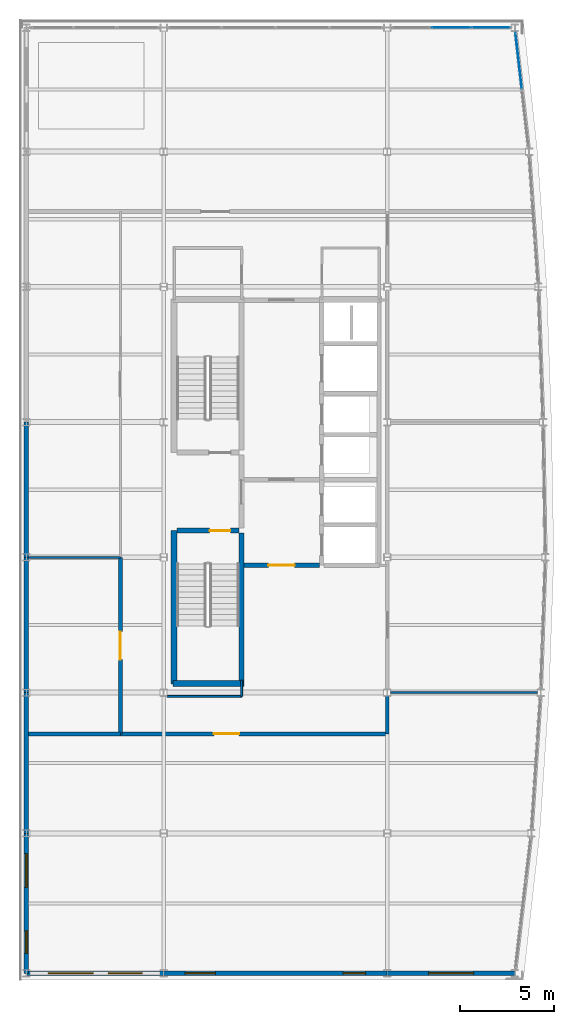
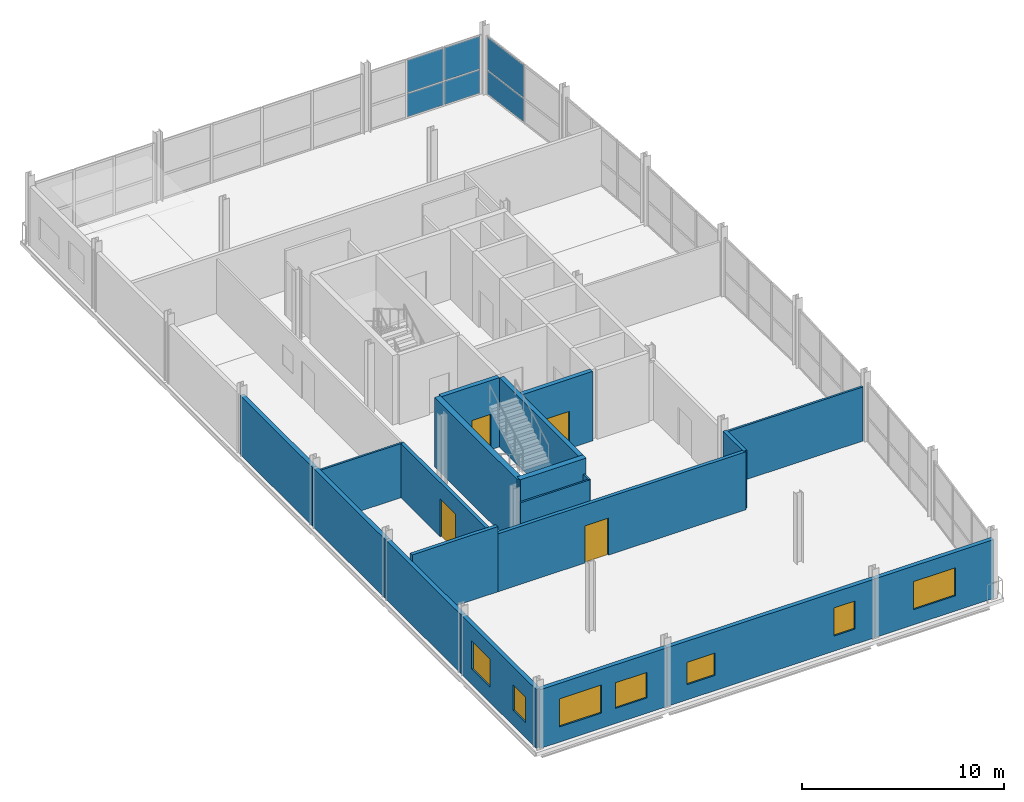
# One storey, part 15 of 20: 20 walls, 7 windows, 6 plates, 4 doors, 11 openings, 2 elements without a shape of their own.
"""IFC4 building model written with IfcOpenShell, lengths in metres."""

from ifc_helpers import new_model, si_unit, direction, frame, frame_2d, origin, origin_2d, place, context, subcontext, project, spatial, rectangle, extrude, material, layer, layer_set, type_object, element, fill, aggregate, save


model = new_model("IFC4")

# Units and contexts
model_context = context("Model", 3, precision=1e-05, world=origin(), true_north=direction((0.0, 1.0)))
body_context = subcontext(model_context, "Body", "Model", "MODEL_VIEW")
ifc_project = project(units=[si_unit("LENGTHUNIT", "METRE"), si_unit("AREAUNIT", "SQUARE_METRE"), si_unit("VOLUMEUNIT", "CUBIC_METRE"), si_unit("PLANEANGLEUNIT", "RADIAN"), si_unit("MASSUNIT", "GRAM", prefix="KILO")], contexts=[model_context])

# Site, building, storey
site_placement = place(None, origin())
site = spatial("IfcSite", under=ifc_project, at=site_placement, CompositionType="ELEMENT")
building_placement = place(site_placement, origin())
building = spatial("IfcBuilding", under=site, at=building_placement, Name="Quillay Park Conservatory", CompositionType="ELEMENT")
storey_placement = place(building_placement, frame((0.0, 0.0, 26.699951171875)))
storey = spatial("IfcBuildingStorey", under=building, at=storey_placement, Name="L06", CompositionType="ELEMENT", Elevation=26.699951171875)

# Curtain wall, plates
ifc_material_1 = material(Name="Thermally Broken Anodised Aluminium 6063-T6", Category="aluminium")
ifc_layer_1 = layer(ifc_material_1, 0.199951171875)
ifc_layer_set_1 = layer_set([ifc_layer_1], Name="UNITISED CURTAIN WALL HERBARIUM (Thermally Broken Anodised Aluminium 6063-T6)")
curtain_wall_type = type_object("IfcCurtainWallType", Name="UNITISED CURTAIN WALL HERBARIUM", PredefinedType="USERDEFINED", material=ifc_layer_set_1)
curtain_wall_1_placement = place(storey_placement, origin())
curtain_wall_1 = element("IfcCurtainWall", 1, at=curtain_wall_1_placement, inside=storey, type_object=curtain_wall_type, Name="L06 Unitised Curtain Wall 064", ObjectType="UNITISED CURTAIN WALL", PredefinedType="USERDEFINED")
ifc_material_2 = material(Name="Low-E Double Glazing (Laminated Tempered)", Category="glass")
ifc_layer_2 = layer(ifc_material_2, 0.028076171875)
ifc_layer_set_2 = layer_set([ifc_layer_2], Name="CURTAIN WALL GLAZED PANEL 28 (Low-E Double Glazing (Laminated Tempered))")
plate_type = type_object("IfcPlateType", Name="CURTAIN WALL GLAZED PANEL 28", PredefinedType="CURTAIN_PANEL", material=ifc_layer_set_2)
plate_1_placement = place(storey_placement, frame((26.750732421875, 111.63330078125, 0.070068359375), z_axis=(0.0, 0.0, 1.0), x_axis=(0.112903218278, -0.993605989969, 0.0)))
plate_1 = element("IfcPlate", 2, at=plate_1_placement, type_object=plate_type, Name="CW-T2 panel 1.1", PredefinedType="CURTAIN_PANEL", context=body_context, shape_type="SweptSolid", body=[
    extrude(rectangle(XDim=3.016357421875, YDim=0.028076171875, at=origin_2d()), origin(), (0.0, 0.0, 1.0), 1.39404296875),
])
plate_2_placement = place(storey_placement, frame((26.750732421875, 111.63330078125, 1.5341796875), z_axis=(0.0, 0.0, 1.0), x_axis=(0.112903218278, -0.993605989969, 0.0)))
plate_2 = element("IfcPlate", 3, at=plate_2_placement, type_object=plate_type, Name="CW-T2 panel 1.2", PredefinedType="CURTAIN_PANEL", context=body_context, shape_type="SweptSolid", body=[
    extrude(rectangle(XDim=3.016357421875, YDim=0.028076171875, at=origin_2d()), origin(), (0.0, 0.0, 1.0), 1.965087890625),
])
aggregate(curtain_wall_1, [plate_1, plate_2])

curtain_wall_2_placement = place(storey_placement, origin())
curtain_wall_2 = element("IfcCurtainWall", 4, at=curtain_wall_2_placement, inside=storey, type_object=curtain_wall_type, Name="L06 Unitised Curtain Wall 067", ObjectType="UNITISED CURTAIN WALL", PredefinedType="USERDEFINED")
plate_3_placement = place(storey_placement, frame((23.14990234375, 113.39990234375, 0.070068359375), z_axis=(0.0, 0.0, 1.0), x_axis=(1.0, 0.0, 0.0)))
plate_3 = element("IfcPlate", 5, at=plate_3_placement, type_object=plate_type, Name="CW-T2 panel 2.1", PredefinedType="CURTAIN_PANEL", context=body_context, shape_type="SweptSolid", body=[
    extrude(rectangle(XDim=2.063232421875, YDim=0.028076171875, at=origin_2d()), origin(), (0.0, 0.0, 1.0), 1.39404296875),
])
plate_4_placement = place(storey_placement, frame((23.14990234375, 113.39990234375, 1.5341796875), z_axis=(0.0, 0.0, 1.0), x_axis=(1.0, 0.0, 0.0)))
plate_4 = element("IfcPlate", 6, at=plate_4_placement, type_object=plate_type, Name="CW-T2 panel 2.2", PredefinedType="CURTAIN_PANEL", context=body_context, shape_type="SweptSolid", body=[
    extrude(rectangle(XDim=2.063232421875, YDim=0.028076171875, at=origin_2d()), origin(), (0.0, 0.0, 1.0), 1.965087890625),
])
plate_5_placement = place(storey_placement, frame((25.265869140625, 113.39990234375, 0.070068359375), z_axis=(0.0, 0.0, 1.0), x_axis=(1.0, 0.0, 0.0)))
plate_5 = element("IfcPlate", 7, at=plate_5_placement, type_object=plate_type, Name="CW-T2 panel 3.1", PredefinedType="CURTAIN_PANEL", context=body_context, shape_type="SweptSolid", body=[
    extrude(rectangle(XDim=2.0283203125, YDim=0.028076171875, at=origin_2d()), origin(), (0.0, 0.0, 1.0), 1.39404296875),
])
plate_6_placement = place(storey_placement, frame((25.265869140625, 113.39990234375, 1.5341796875), z_axis=(0.0, 0.0, 1.0), x_axis=(1.0, 0.0, 0.0)))
plate_6 = element("IfcPlate", 8, at=plate_6_placement, type_object=plate_type, Name="CW-T2 panel 3.2", PredefinedType="CURTAIN_PANEL", context=body_context, shape_type="SweptSolid", body=[
    extrude(rectangle(XDim=2.0283203125, YDim=0.028076171875, at=origin_2d()), origin(), (0.0, 0.0, 1.0), 1.965087890625),
])
aggregate(curtain_wall_2, [plate_3, plate_4, plate_5, plate_6])

# Walls
ifc_material_3 = material(Name="Steel-Stud Acoustic Gypsum Board Partition", Category="steel")
ifc_layer_3 = layer(ifc_material_3, 0.10009765625)
ifc_layer_set_3 = layer_set([ifc_layer_3], Name="ACOUSTIC GYPSUM PARTITION 100 (Steel-Stud Acoustic Gypsum Board Partition)")
wall_type_1 = type_object("IfcWallType", Name="ACOUSTIC GYPSUM PARTITION 100", PredefinedType="PARTITIONING", material=ifc_layer_set_3)
wall_1_placement = place(storey_placement, frame((12.0, 77.800048828125, 0.0), z_axis=(0.0, 0.0, 1.0), x_axis=(0.0, 1.0, 0.0)))
element("IfcWall", 9, at=wall_1_placement, inside=storey, type_object=wall_type_1, Name="L06 Core South Vestibule West Wall", PredefinedType="PARTITIONING", context=body_context, shape_type="SweptSolid", body=[
    extrude(rectangle(XDim=0.849853515625, YDim=0.10009765625, at=frame_2d((0.4248046875, 0.0))), origin(), (0.0, 0.0, 1.0), 3.277099609375),
])
ifc_material_4 = material(Name="Steel-Stud Acoustic Gypsum Board Partition", Category="steel")
ifc_layer_4 = layer(ifc_material_4, 0.10498046875)
ifc_layer_set_4 = layer_set([ifc_layer_4], Name="ACOUSTIC GYPSUM PARTITION 105 (Steel-Stud Acoustic Gypsum Board Partition)")
wall_type_2 = type_object("IfcWallType", Name="ACOUSTIC GYPSUM PARTITION 105", PredefinedType="PARTITIONING", material=ifc_layer_set_4)
wall_2_placement = place(storey_placement, frame((8.031982421875, 77.800048828125, 0.0), z_axis=(0.0, 0.0, 1.0), x_axis=(1.0, 0.0, 0.0)))
element("IfcWall", 10, at=wall_2_placement, inside=storey, type_object=wall_type_2, Name="L06 Core South-West Return", PredefinedType="PARTITIONING", context=body_context, shape_type="SweptSolid", body=[
    extrude(rectangle(XDim=3.968017578125, YDim=0.10498046875, at=frame_2d((1.98388671875, 0.0))), origin(), (0.0, 0.0, 1.0), 3.277099609375),
])
ifc_material_5 = material(Name="Steel-Stud Acoustic Gypsum Board Partition", Category="steel")
ifc_layer_5 = layer(ifc_material_5, 0.110107421875)
ifc_layer_set_5 = layer_set([ifc_layer_5], Name="ACOUSTIC GYPSUM PARTITION 110 (Steel-Stud Acoustic Gypsum Board Partition)")
wall_type_3 = type_object("IfcWallType", Name="ACOUSTIC GYPSUM PARTITION 110", PredefinedType="PARTITIONING", material=ifc_layer_set_5)
wall_3_placement = place(storey_placement, frame((0.64990234375, 85.199951171875, 0.0), z_axis=(0.0, 0.0, 1.0), x_axis=(1.0, 0.0, 0.0)))
element("IfcWall", 11, at=wall_3_placement, inside=storey, type_object=wall_type_3, Name="L06 West Divider 85", PredefinedType="PARTITIONING", context=body_context, shape_type="SweptSolid", body=[
    extrude(rectangle(XDim=4.900146484375, YDim=0.110107421875, at=frame_2d((2.4501953125, 0.0))), origin(), (0.0, 0.0, 1.0), 3.277099609375),
])
ifc_material_6 = material(Name="Steel-Stud Acoustic Gypsum Board Partition", Category="steel")
ifc_layer_6 = layer(ifc_material_6, 0.1201171875)
ifc_layer_set_6 = layer_set([ifc_layer_6], Name="ACOUSTIC GYPSUM PARTITION 120 (Steel-Stud Acoustic Gypsum Board Partition)")
wall_type_4 = type_object("IfcWallType", Name="ACOUSTIC GYPSUM PARTITION 120", PredefinedType="PARTITIONING", material=ifc_layer_set_6)
wall_4_placement = place(storey_placement, frame((27.742919921875, 78.0, 0.0), z_axis=(0.0, 0.0, 1.0), x_axis=(-1.0, 0.0, 0.0)))
element("IfcWall", 12, at=wall_4_placement, inside=storey, type_object=wall_type_4, Name="L06 East Strip South Wall", PredefinedType="PARTITIONING", context=body_context, shape_type="SweptSolid", body=[
    extrude(rectangle(XDim=7.81103515625, YDim=0.1201171875, at=frame_2d((3.905517578125, 0.0))), origin(), (0.0, 0.0, 1.0), 3.277099609375),
])
ifc_material_7 = material(Name="Concrete C40/50 (NCh170 Concrete C40/50)", Category="concrete")
ifc_layer_7 = layer(ifc_material_7, 0.25)
ifc_layer_set_7 = layer_set([ifc_layer_7], Name="CORE SHEAR WALL 250 (Concrete C40/50 (NCh170 Concrete C40/50))")
wall_type_5 = type_object("IfcWallType", Name="CORE SHEAR WALL 250", PredefinedType="SHEAR", material=ifc_layer_set_7)
wall_5_placement = place(storey_placement, frame((11.9951171875, 78.64990234375, 0.0), z_axis=(0.0, 0.0, 1.0), x_axis=(0.0, 1.0, 0.0)))
element("IfcWall", 13, at=wall_5_placement, inside=storey, type_object=wall_type_5, Name="L06 Core Shear Wall WL-T2E-L06", PredefinedType="SHEAR", context=body_context, shape_type="SweptSolid", body=[
    extrude(rectangle(XDim=7.85009765625, YDim=0.25, at=frame_2d((3.925048828125, 0.0))), origin(), (0.0, 0.0, 1.0), 4.199951171875),
])

# Wall, opening, door
wall_6_placement = place(storey_placement, frame((8.550048828125, 86.625, 0.0), z_axis=(0.0, 0.0, 1.0), x_axis=(1.0, 0.0, 0.0)))
wall_6 = element("IfcWall", 14, at=wall_6_placement, inside=storey, type_object=wall_type_5, Name="L06 Core Shear Wall WL-ST2D-L06", PredefinedType="SHEAR", context=body_context, shape_type="SweptSolid", body=[
    extrude(rectangle(XDim=3.320068359375, YDim=0.25, at=frame_2d((1.66015625, 0.0))), origin(), (0.0, 0.0, 1.0), 4.199951171875),
])
opening_1_placement = place(wall_6_placement, frame((1.75, 0.0, 0.0)))
opening_1 = element("IfcOpeningElement", 15, at=opening_1_placement, cuts=wall_6, Name="Opening D-ST01", PredefinedType="OPENING", context=body_context, shape_type="SweptSolid", body=[
    extrude(rectangle(XDim=1.10009765625, YDim=2.14990234375, at=frame_2d((0.550048828125, 1.074951171875))), frame((0.0, 0.125, 0.0), z_axis=(0.0, -1.0, 0.0), x_axis=(1.0, 0.0, 0.0)), (0.0, 0.0, 1.0), 0.25),
])
ifc_material_8 = material(Name="Steel ASTM A572 Grade 50", Category="steel")
door_type_1 = type_object("IfcDoorType", Name="FIRE RATED STAIR DOOR 1100 X2150", OperationType="NOTDEFINED", PredefinedType="DOOR", material=ifc_material_8)
door_1_placement = place(opening_1_placement, origin())
door_1 = element("IfcDoor", 16, at=door_1_placement, inside=storey, type_object=door_type_1, Name="L06 Protected Stair ST-T2 Door", OperationType="SINGLE_SWING_LEFT", OverallHeight=2.14990234375, OverallWidth=1.10009765625, PredefinedType="DOOR", context=body_context, shape_type="SweptSolid", body=[
    extrude(rectangle(XDim=1.10009765625, YDim=2.14990234375, at=frame_2d((0.550048828125, 1.074951171875))), frame((0.0, 0.02490234375, 0.0), z_axis=(0.0, -1.0, 0.0), x_axis=(1.0, 0.0, 0.0)), (0.0, 0.0, 1.0), 0.050048828125),
])
fill(opening_1, door_1)

wall_7_placement = place(storey_placement, frame((12.1201171875, 84.77490234375, 0.0), z_axis=(0.0, 0.0, 1.0), x_axis=(1.0, 0.0, 0.0)))
wall_7 = element("IfcWall", 17, at=wall_7_placement, inside=storey, type_object=wall_type_5, Name="L06 Core Shear Wall WL-FFS-L06", PredefinedType="SHEAR", context=body_context, shape_type="SweptSolid", body=[
    extrude(rectangle(XDim=4.02978515625, YDim=0.25, at=frame_2d((2.014892578125, 0.0))), origin(), (0.0, 0.0, 1.0), 4.199951171875),
])
opening_2_placement = place(wall_7_placement, frame((1.300048828125, 0.0, 0.0)))
opening_2 = element("IfcOpeningElement", 18, at=opening_2_placement, cuts=wall_7, Name="Opening D-LB03", PredefinedType="OPENING", context=body_context, shape_type="SweptSolid", body=[
    extrude(rectangle(XDim=1.39990234375, YDim=2.25, at=frame_2d((0.699951171875, 1.125))), frame((0.0, 0.125, 0.0), z_axis=(0.0, -1.0, 0.0), x_axis=(1.0, 0.0, 0.0)), (0.0, 0.0, 1.0), 0.25),
])
ifc_material_9 = material(Name="Steel ASTM A572 Grade 50", Category="steel")
door_type_2 = type_object("IfcDoorType", Name="FIRE RATED LOBBY DOOR 1400 X2250", OperationType="NOTDEFINED", PredefinedType="DOOR", material=ifc_material_9)
door_2_placement = place(opening_2_placement, origin())
door_2 = element("IfcDoor", 19, at=door_2_placement, inside=storey, type_object=door_type_2, Name="L06 South Core Lobby Door", OperationType="SINGLE_SWING_RIGHT", OverallHeight=2.25, OverallWidth=1.39990234375, PredefinedType="DOOR", context=body_context, shape_type="SweptSolid", body=[
    extrude(rectangle(XDim=1.39990234375, YDim=2.25, at=frame_2d((0.699951171875, 1.125))), frame((0.0, 0.02490234375, 0.0), z_axis=(0.0, -1.0, 0.0), x_axis=(1.0, 0.0, 0.0)), (0.0, 0.0, 1.0), 0.050048828125),
])
fill(opening_2, door_2)

# Walls
ifc_material_10 = material(Name="Concrete C40/50 (NCh170 Concrete C40/50)", Category="concrete")
ifc_layer_8 = layer(ifc_material_10, 0.320068359375)
ifc_layer_set_8 = layer_set([ifc_layer_8], Name="CORE SHEAR WALL 320 (Concrete C40/50 (NCh170 Concrete C40/50))")
wall_type_6 = type_object("IfcWallType", Name="CORE SHEAR WALL 320", PredefinedType="SHEAR", material=ifc_layer_set_8)
wall_8_placement = place(storey_placement, frame((8.389892578125, 78.449951171875, 0.0), z_axis=(0.0, 0.0, 1.0), x_axis=(0.0, 1.0, 0.0)))
element("IfcWall", 20, at=wall_8_placement, inside=storey, type_object=wall_type_6, Name="L06 Core Shear Wall WL-TCW-S-L06", PredefinedType="SHEAR", context=body_context, shape_type="SweptSolid", body=[
    extrude(rectangle(XDim=8.175048828125, YDim=0.320068359375, at=frame_2d((4.08740234375, 0.0))), origin(), (0.0, 0.0, 1.0), 4.199951171875),
])
wall_9_placement = place(storey_placement, frame((8.35009765625, 78.489990234375, 0.0), z_axis=(0.0, 0.0, 1.0), x_axis=(1.0, 0.0, 0.0)))
element("IfcWall", 21, at=wall_9_placement, inside=storey, type_object=wall_type_6, Name="L06 Core Shear Wall WL-TCS-L06", PredefinedType="SHEAR", context=body_context, shape_type="SweptSolid", body=[
    extrude(rectangle(XDim=3.77001953125, YDim=0.320068359375, at=frame_2d((1.885009765625, 0.0))), origin(), (0.0, 0.0, 1.0), 4.199951171875),
])

# Wall, openings, windows
ifc_material_11 = material(Name="Glass-Fibre Reinforced Concrete (GRC) Cladding", Category="concrete")
ifc_layer_9 = layer(ifc_material_11, 0.239990234375)
ifc_layer_set_9 = layer_set([ifc_layer_9], Name="EXTERIOR SOLID WALL 240 (Glass-Fibre Reinforced Concrete (GRC) Cladding)")
wall_type_7 = type_object("IfcWallType", Name="EXTERIOR SOLID WALL 240", PredefinedType="SOLIDWALL", material=ifc_layer_set_9)
wall_10_placement = place(storey_placement, frame((0.550048828125, 63.050048828125, 0.0), z_axis=(0.0, 0.0, 1.0), x_axis=(0.0, 1.0, 0.0)))
wall_10 = element("IfcWall", 22, at=wall_10_placement, inside=storey, type_object=wall_type_7, Name="L06 External Wall WL-EXT-V4W-L06-0", PredefinedType="SOLIDWALL", context=body_context, shape_type="SweptSolid", body=[
    extrude(rectangle(XDim=7.449951171875, YDim=0.239990234375, at=frame_2d((3.72509765625, 0.0))), origin(), (0.0, 0.0, 1.0), 3.55712890625),
])
opening_3_placement = place(wall_10_placement, frame((1.070068359375, 0.0, 0.919921875)))
opening_3 = element("IfcOpeningElement", 23, at=opening_3_placement, cuts=wall_10, Name="Opening W-07", PredefinedType="OPENING", context=body_context, shape_type="SweptSolid", body=[
    extrude(rectangle(XDim=1.199951171875, YDim=1.550048828125, at=frame_2d((0.60009765625, 0.77490234375))), frame((0.0, 0.1201171875, 0.0), z_axis=(0.0, -1.0, 0.0), x_axis=(1.0, 0.0, 0.0)), (0.0, 0.0, 1.0), 0.239990234375),
])
opening_4_placement = place(wall_10_placement, frame((4.580078125, 0.0, 0.919921875)))
opening_4 = element("IfcOpeningElement", 24, at=opening_4_placement, cuts=wall_10, Name="Opening W-14", PredefinedType="OPENING", context=body_context, shape_type="SweptSolid", body=[
    extrude(rectangle(XDim=1.800048828125, YDim=1.699951171875, at=frame_2d((0.89990234375, 0.85009765625))), frame((0.0, 0.1201171875, 0.0), z_axis=(0.0, -1.0, 0.0), x_axis=(1.0, 0.0, 0.0)), (0.0, 0.0, 1.0), 0.239990234375),
])
ifc_material_12 = material(Name="Low-E Double Glazing (Laminated Tempered)", Category="glass")
window_type_1 = type_object("IfcWindowType", Name="FIXED CASEMENT WINDOW 1200 X1550", PartitioningType="SINGLE_PANEL", PredefinedType="WINDOW", material=ifc_material_12)
window_1_placement = place(opening_3_placement, origin())
window_1 = element("IfcWindow", 25, at=window_1_placement, inside=storey, type_object=window_type_1, Name="L06 Exterior Window 0184", OverallHeight=1.550048828125, OverallWidth=1.199951171875, PartitioningType="SINGLE_PANEL", PredefinedType="WINDOW", context=body_context, shape_type="SweptSolid", body=[
    extrude(rectangle(XDim=1.199951171875, YDim=1.550048828125, at=frame_2d((0.60009765625, 0.77490234375))), frame((0.0, 0.030029296875, 0.0), z_axis=(0.0, -1.0, 0.0), x_axis=(1.0, 0.0, 0.0)), (0.0, 0.0, 1.0), 0.06005859375),
])
fill(opening_3, window_1)
ifc_material_13 = material(Name="Low-E Double Glazing (Laminated Tempered)", Category="glass")
window_type_2 = type_object("IfcWindowType", Name="FIXED CASEMENT WINDOW 1800 X1700", PartitioningType="DOUBLE_PANEL_VERTICAL", PredefinedType="WINDOW", material=ifc_material_13)
window_2_placement = place(opening_4_placement, origin())
window_2 = element("IfcWindow", 26, at=window_2_placement, inside=storey, type_object=window_type_2, Name="L06 Exterior Window 0185", OverallHeight=1.699951171875, OverallWidth=1.800048828125, PartitioningType="DOUBLE_PANEL_VERTICAL", PredefinedType="WINDOW", context=body_context, shape_type="SweptSolid", body=[
    extrude(rectangle(XDim=1.800048828125, YDim=1.699951171875, at=frame_2d((0.89990234375, 0.85009765625))), frame((0.0, 0.030029296875, 0.0), z_axis=(0.0, -1.0, 0.0), x_axis=(1.0, 0.0, 0.0)), (0.0, 0.0, 1.0), 0.06005859375),
])
fill(opening_4, window_2)

# Walls
wall_11_placement = place(storey_placement, frame((0.550048828125, 70.5, 0.0), z_axis=(0.0, 0.0, 1.0), x_axis=(0.0, 1.0, 0.0)))
element("IfcWall", 27, at=wall_11_placement, inside=storey, type_object=wall_type_7, Name="L06 External Wall WL-EXT-V4W-L06-1", PredefinedType="SOLIDWALL", context=body_context, shape_type="SweptSolid", body=[
    extrude(rectangle(XDim=7.5, YDim=0.239990234375, at=frame_2d((3.75, 0.0))), origin(), (0.0, 0.0, 1.0), 3.55712890625),
])
for number, where, z_axis, x_axis, name in (
    (28, (0.550048828125, 78.0, 0.0), (0.0, 0.0, 1.0), (0.0, 1.0, 0.0), "L06 External Wall WL-EXT-V4W-L06-2"),
    (29, (0.550048828125, 85.199951171875, 0.0), (0.0, 0.0, 1.0), (0.0, 1.0, 0.0), "L06 External Wall WL-EXT-V4W-L06-3"),
):
    element("IfcWall", number, at=place(storey_placement, frame(where, z_axis=z_axis, x_axis=x_axis)), inside=storey, type_object=wall_type_7, Name=name, PredefinedType="SOLIDWALL", context=body_context, shape_type="SweptSolid", body=[
        extrude(rectangle(XDim=7.199951171875, YDim=0.239990234375, at=frame_2d((3.60009765625, 0.0))), origin(), (0.0, 0.0, 1.0), 3.55712890625),
    ])

# Wall, openings, windows
wall_12_placement = place(storey_placement, frame((7.85009765625, 63.050048828125, 0.0), z_axis=(0.0, 0.0, 1.0), x_axis=(-1.0, 0.0, 0.0)))
wall_12 = element("IfcWall", 30, at=wall_12_placement, inside=storey, type_object=wall_type_7, Name="L06 External Wall WL-EXT-V4S1-L06", PredefinedType="SOLIDWALL", context=body_context, shape_type="SweptSolid", body=[
    extrude(rectangle(XDim=7.300048828125, YDim=0.239990234375, at=frame_2d((3.64990234375, 0.0))), origin(), (0.0, 0.0, 1.0), 3.55712890625),
])
opening_5_placement = place(wall_12_placement, frame((1.14990234375, 0.0, 0.919921875)))
opening_5 = element("IfcOpeningElement", 31, at=opening_5_placement, cuts=wall_12, Name="Opening W-09", PredefinedType="OPENING", context=body_context, shape_type="SweptSolid", body=[
    extrude(rectangle(XDim=1.800048828125, YDim=1.550048828125, at=frame_2d((0.89990234375, 0.77490234375))), frame((0.0, 0.1201171875, 0.0), z_axis=(0.0, -1.0, 0.0), x_axis=(1.0, 0.0, 0.0)), (0.0, 0.0, 1.0), 0.239990234375),
])
opening_6_placement = place(wall_12_placement, frame((3.75, 0.0, 0.919921875)))
opening_6 = element("IfcOpeningElement", 32, at=opening_6_placement, cuts=wall_12, Name="Opening W-16", PredefinedType="OPENING", context=body_context, shape_type="SweptSolid", body=[
    extrude(rectangle(XDim=2.39990234375, YDim=1.699951171875, at=frame_2d((1.199951171875, 0.85009765625))), frame((0.0, 0.1201171875, 0.0), z_axis=(0.0, -1.0, 0.0), x_axis=(1.0, 0.0, 0.0)), (0.0, 0.0, 1.0), 0.239990234375),
])
ifc_material_14 = material(Name="Low-E Double Glazing (Laminated Tempered)", Category="glass")
window_type_3 = type_object("IfcWindowType", Name="FIXED CASEMENT WINDOW 1800 X1550", PartitioningType="DOUBLE_PANEL_VERTICAL", PredefinedType="WINDOW", material=ifc_material_14)
window_3_placement = place(opening_5_placement, origin())
window_3 = element("IfcWindow", 33, at=window_3_placement, inside=storey, type_object=window_type_3, Name="L06 Exterior Window 0188", OverallHeight=1.550048828125, OverallWidth=1.800048828125, PartitioningType="DOUBLE_PANEL_VERTICAL", PredefinedType="WINDOW", context=body_context, shape_type="SweptSolid", body=[
    extrude(rectangle(XDim=1.800048828125, YDim=1.550048828125, at=frame_2d((0.89990234375, 0.77490234375))), frame((0.0, 0.030029296875, 0.0), z_axis=(0.0, -1.0, 0.0), x_axis=(1.0, 0.0, 0.0)), (0.0, 0.0, 1.0), 0.06005859375),
])
fill(opening_5, window_3)
ifc_material_15 = material(Name="Low-E Double Glazing (Laminated Tempered)", Category="glass")
window_type_4 = type_object("IfcWindowType", Name="FIXED CASEMENT WINDOW 2400 X1700", PartitioningType="DOUBLE_PANEL_VERTICAL", PredefinedType="WINDOW", material=ifc_material_15)
window_4_placement = place(opening_6_placement, origin())
window_4 = element("IfcWindow", 34, at=window_4_placement, inside=storey, type_object=window_type_4, Name="L06 Exterior Window 0189", OverallHeight=1.699951171875, OverallWidth=2.39990234375, PartitioningType="DOUBLE_PANEL_VERTICAL", PredefinedType="WINDOW", context=body_context, shape_type="SweptSolid", body=[
    extrude(rectangle(XDim=2.39990234375, YDim=1.699951171875, at=frame_2d((1.199951171875, 0.85009765625))), frame((0.0, 0.030029296875, 0.0), z_axis=(0.0, -1.0, 0.0), x_axis=(1.0, 0.0, 0.0)), (0.0, 0.0, 1.0), 0.06005859375),
])
fill(opening_6, window_4)

wall_13_placement = place(storey_placement, frame((19.75, 63.050048828125, 0.0), z_axis=(0.0, 0.0, 1.0), x_axis=(-1.0, 0.0, 0.0)))
wall_13 = element("IfcWall", 35, at=wall_13_placement, inside=storey, type_object=wall_type_7, Name="L06 External Wall WL-EXT-V4S2-L06", PredefinedType="SOLIDWALL", context=body_context, shape_type="SweptSolid", body=[
    extrude(rectangle(XDim=11.89990234375, YDim=0.239990234375, at=frame_2d((5.949951171875, 0.0))), origin(), (0.0, 0.0, 1.0), 3.55712890625),
])
opening_7_placement = place(wall_13_placement, frame((1.14990234375, 0.0, 0.919921875)))
opening_7 = element("IfcOpeningElement", 36, at=opening_7_placement, cuts=wall_13, Name="Opening W-12", PredefinedType="OPENING", context=body_context, shape_type="SweptSolid", body=[
    extrude(rectangle(XDim=1.199951171875, YDim=1.699951171875, at=frame_2d((0.60009765625, 0.85009765625))), frame((0.0, 0.1201171875, 0.0), z_axis=(0.0, -1.0, 0.0), x_axis=(1.0, 0.0, 0.0)), (0.0, 0.0, 1.0), 0.239990234375),
])
opening_8_placement = place(wall_13_placement, frame((9.14990234375, 0.0, 0.919921875)))
opening_8 = element("IfcOpeningElement", 37, at=opening_8_placement, cuts=wall_13, Name="Opening W-19", PredefinedType="OPENING", context=body_context, shape_type="SweptSolid", body=[
    extrude(rectangle(XDim=1.60009765625, YDim=1.35009765625, at=frame_2d((0.800048828125, 0.675048828125))), frame((0.0, 0.1201171875, 0.0), z_axis=(0.0, -1.0, 0.0), x_axis=(1.0, 0.0, 0.0)), (0.0, 0.0, 1.0), 0.239990234375),
])
ifc_material_16 = material(Name="Low-E Double Glazing (Laminated Tempered)", Category="glass")
window_type_5 = type_object("IfcWindowType", Name="FIXED CASEMENT WINDOW 1200 X1700", PartitioningType="SINGLE_PANEL", PredefinedType="WINDOW", material=ifc_material_16)
window_5_placement = place(opening_7_placement, origin())
window_5 = element("IfcWindow", 38, at=window_5_placement, inside=storey, type_object=window_type_5, Name="L06 Exterior Window 0190", OverallHeight=1.699951171875, OverallWidth=1.199951171875, PartitioningType="SINGLE_PANEL", PredefinedType="WINDOW", context=body_context, shape_type="SweptSolid", body=[
    extrude(rectangle(XDim=1.199951171875, YDim=1.699951171875, at=frame_2d((0.60009765625, 0.85009765625))), frame((0.0, 0.030029296875, 0.0), z_axis=(0.0, -1.0, 0.0), x_axis=(1.0, 0.0, 0.0)), (0.0, 0.0, 1.0), 0.06005859375),
])
fill(opening_7, window_5)
ifc_material_17 = material(Name="Low-E Double Glazing (Laminated Tempered)", Category="glass")
window_type_6 = type_object("IfcWindowType", Name="FIXED CASEMENT WINDOW 1600 X1350", PartitioningType="DOUBLE_PANEL_VERTICAL", PredefinedType="WINDOW", material=ifc_material_17)
window_6_placement = place(opening_8_placement, origin())
window_6 = element("IfcWindow", 39, at=window_6_placement, inside=storey, type_object=window_type_6, Name="L06 Exterior Window 0191", OverallHeight=1.35009765625, OverallWidth=1.60009765625, PartitioningType="DOUBLE_PANEL_VERTICAL", PredefinedType="WINDOW", context=body_context, shape_type="SweptSolid", body=[
    extrude(rectangle(XDim=1.60009765625, YDim=1.35009765625, at=frame_2d((0.800048828125, 0.675048828125))), frame((0.0, 0.030029296875, 0.0), z_axis=(0.0, -1.0, 0.0), x_axis=(1.0, 0.0, 0.0)), (0.0, 0.0, 1.0), 0.06005859375),
])
fill(opening_8, window_6)

# Wall, opening, window
wall_14_placement = place(storey_placement, frame((26.550048828125, 63.050048828125, 0.0), z_axis=(0.0, 0.0, 1.0), x_axis=(-1.0, 0.0, 0.0)))
wall_14 = element("IfcWall", 40, at=wall_14_placement, inside=storey, type_object=wall_type_7, Name="L06 External Wall WL-EXT-V4S3-L06", PredefinedType="SOLIDWALL", context=body_context, shape_type="SweptSolid", body=[
    extrude(rectangle(XDim=6.800048828125, YDim=0.239990234375, at=frame_2d((3.39990234375, 0.0))), origin(), (0.0, 0.0, 1.0), 3.55712890625),
])
opening_9_placement = place(wall_14_placement, frame((2.199951171875, 0.0, 0.919921875)))
opening_9 = element("IfcOpeningElement", 41, at=opening_9_placement, cuts=wall_14, Name="Opening W-16", PredefinedType="OPENING", context=body_context, shape_type="SweptSolid", body=[
    extrude(rectangle(XDim=2.39990234375, YDim=1.699951171875, at=frame_2d((1.199951171875, 0.85009765625))), frame((0.0, 0.1201171875, 0.0), z_axis=(0.0, -1.0, 0.0), x_axis=(1.0, 0.0, 0.0)), (0.0, 0.0, 1.0), 0.239990234375),
])
window_7_placement = place(opening_9_placement, origin())
window_7 = element("IfcWindow", 42, at=window_7_placement, inside=storey, type_object=window_type_4, Name="L06 Exterior Window 0192", OverallHeight=1.699951171875, OverallWidth=2.39990234375, PartitioningType="DOUBLE_PANEL_VERTICAL", PredefinedType="WINDOW", context=body_context, shape_type="SweptSolid", body=[
    extrude(rectangle(XDim=2.39990234375, YDim=1.699951171875, at=frame_2d((1.199951171875, 0.85009765625))), frame((0.0, 0.030029296875, 0.0), z_axis=(0.0, -1.0, 0.0), x_axis=(1.0, 0.0, 0.0)), (0.0, 0.0, 1.0), 0.06005859375),
])
fill(opening_9, window_7)

# Wall, opening, door
ifc_material_18 = material(Name="Concrete C35/45 (NCh170 Concrete C35/45)", Category="concrete")
ifc_layer_10 = layer(ifc_material_18, 0.199951171875)
ifc_layer_set_10 = layer_set([ifc_layer_10], Name="SOLID VAULT WALL 200 (Concrete C35/45 (NCh170 Concrete C35/45))")
wall_type_8 = type_object("IfcWallType", Name="SOLID VAULT WALL 200", PredefinedType="SOLIDWALL", material=ifc_layer_set_10)
wall_15_placement = place(storey_placement, frame((5.550048828125, 75.800048828125, 0.0), z_axis=(0.0, 0.0, 1.0), x_axis=(0.0, 1.0, 0.0)))
wall_15 = element("IfcWall", 43, at=wall_15_placement, inside=storey, type_object=wall_type_8, Name="L06 L06 Specimen Mounting and Repair Studio Corridor Wall", PredefinedType="SOLIDWALL", context=body_context, shape_type="SweptSolid", body=[
    extrude(rectangle(XDim=9.39990234375, YDim=0.199951171875, at=frame_2d((4.699951171875, 0.0))), origin(), (0.0, 0.0, 1.0), 3.277099609375),
])
opening_10_placement = place(wall_15_placement, frame((3.949951171875, 0.0, 0.0)))
opening_10 = element("IfcOpeningElement", 44, at=opening_10_placement, cuts=wall_15, Name="Opening D-HB02", PredefinedType="OPENING", context=body_context, shape_type="SweptSolid", body=[
    extrude(rectangle(XDim=1.5, YDim=2.300048828125, at=frame_2d((0.75, 1.14990234375))), frame((0.0, 0.10009765625, 0.0), z_axis=(0.0, -1.0, 0.0), x_axis=(1.0, 0.0, 0.0)), (0.0, 0.0, 1.0), 0.199951171875),
])
ifc_material_19 = material(Name="Steel ASTM A572 Grade 50", Category="steel")
door_type_3 = type_object("IfcDoorType", Name="FIRE RATED VAULT DOOR 1500 X2300", OperationType="NOTDEFINED", PredefinedType="DOOR", material=ifc_material_19)
door_3_placement = place(opening_10_placement, origin())
door_3 = element("IfcDoor", 45, at=door_3_placement, inside=storey, type_object=door_type_3, Name="L06 Door to L06 Specimen Mounting and Repair Studio", OperationType="SINGLE_SWING_RIGHT", OverallHeight=2.300048828125, OverallWidth=1.5, PredefinedType="DOOR", context=body_context, shape_type="SweptSolid", body=[
    extrude(rectangle(XDim=1.5, YDim=2.300048828125, at=frame_2d((0.75, 1.14990234375))), frame((0.0, 0.02490234375, 0.0), z_axis=(0.0, -1.0, 0.0), x_axis=(1.0, 0.0, 0.0)), (0.0, 0.0, 1.0), 0.050048828125),
])
fill(opening_10, door_3)

# Wall
wall_16_placement = place(storey_placement, frame((0.64990234375, 75.800048828125, 0.0), z_axis=(0.0, 0.0, 1.0), x_axis=(1.0, 0.0, 0.0)))
element("IfcWall", 46, at=wall_16_placement, inside=storey, type_object=wall_type_8, Name="L06 L06 National Vascular Herbarium Vault South North-West Wall", PredefinedType="SOLIDWALL", context=body_context, shape_type="SweptSolid", body=[
    extrude(rectangle(XDim=4.900146484375, YDim=0.199951171875, at=frame_2d((2.4501953125, 0.0))), origin(), (0.0, 0.0, 1.0), 3.949951171875),
])

# Wall, opening, door
wall_17_placement = place(storey_placement, frame((19.75, 75.800048828125, 0.0), z_axis=(0.0, 0.0, 1.0), x_axis=(-1.0, 0.0, 0.0)))
wall_17 = element("IfcWall", 47, at=wall_17_placement, inside=storey, type_object=wall_type_8, Name="L06 L06 National Vascular Herbarium Vault South North Door Wall", PredefinedType="SOLIDWALL", context=body_context, shape_type="SweptSolid", body=[
    extrude(rectangle(XDim=14.199951171875, YDim=0.199951171875, at=frame_2d((7.10009765625, 0.0))), origin(), (0.0, 0.0, 1.0), 3.507080078125),
])
opening_11_placement = place(wall_17_placement, frame((7.875, 0.0, 0.0)))
opening_11 = element("IfcOpeningElement", 48, at=opening_11_placement, cuts=wall_17, Name="Opening D-HB01", PredefinedType="OPENING", context=body_context, shape_type="SweptSolid", body=[
    extrude(rectangle(XDim=1.35009765625, YDim=2.25, at=frame_2d((0.675048828125, 1.125))), frame((0.0, 0.10009765625, 0.0), z_axis=(0.0, -1.0, 0.0), x_axis=(1.0, 0.0, 0.0)), (0.0, 0.0, 1.0), 0.199951171875),
])
ifc_material_20 = material(Name="Steel ASTM A572 Grade 50", Category="steel")
door_type_4 = type_object("IfcDoorType", Name="FIRE RATED VAULT DOOR 1350 X2250", OperationType="NOTDEFINED", PredefinedType="DOOR", material=ifc_material_20)
door_4_placement = place(opening_11_placement, origin())
door_4 = element("IfcDoor", 49, at=door_4_placement, inside=storey, type_object=door_type_4, Name="L06 Door to L06 National Vascular Herbarium Vault South", OperationType="SINGLE_SWING_LEFT", OverallHeight=2.25, OverallWidth=1.35009765625, PredefinedType="DOOR", context=body_context, shape_type="SweptSolid", body=[
    extrude(rectangle(XDim=1.35009765625, YDim=2.25, at=frame_2d((0.675048828125, 1.125))), frame((0.0, 0.02490234375, 0.0), z_axis=(0.0, -1.0, 0.0), x_axis=(1.0, 0.0, 0.0)), (0.0, 0.0, 1.0), 0.050048828125),
])
fill(opening_11, door_4)

# Wall
wall_18_placement = place(storey_placement, frame((19.75, 77.819091796875, 0.0), z_axis=(0.0, 0.0, 1.0), x_axis=(0.0, -1.0, 0.0)))
element("IfcWall", 50, at=wall_18_placement, inside=storey, type_object=wall_type_8, Name="L06 L06 National Vascular Herbarium Vault South NE Step Wall", PredefinedType="SOLIDWALL", context=body_context, shape_type="SweptSolid", body=[
    extrude(rectangle(XDim=2.01904296875, YDim=0.199951171875, at=frame_2d((1.009521484375, 0.0))), origin(), (0.0, 0.0, 1.0), 3.507080078125),
])

save(model, "model.ifc")
